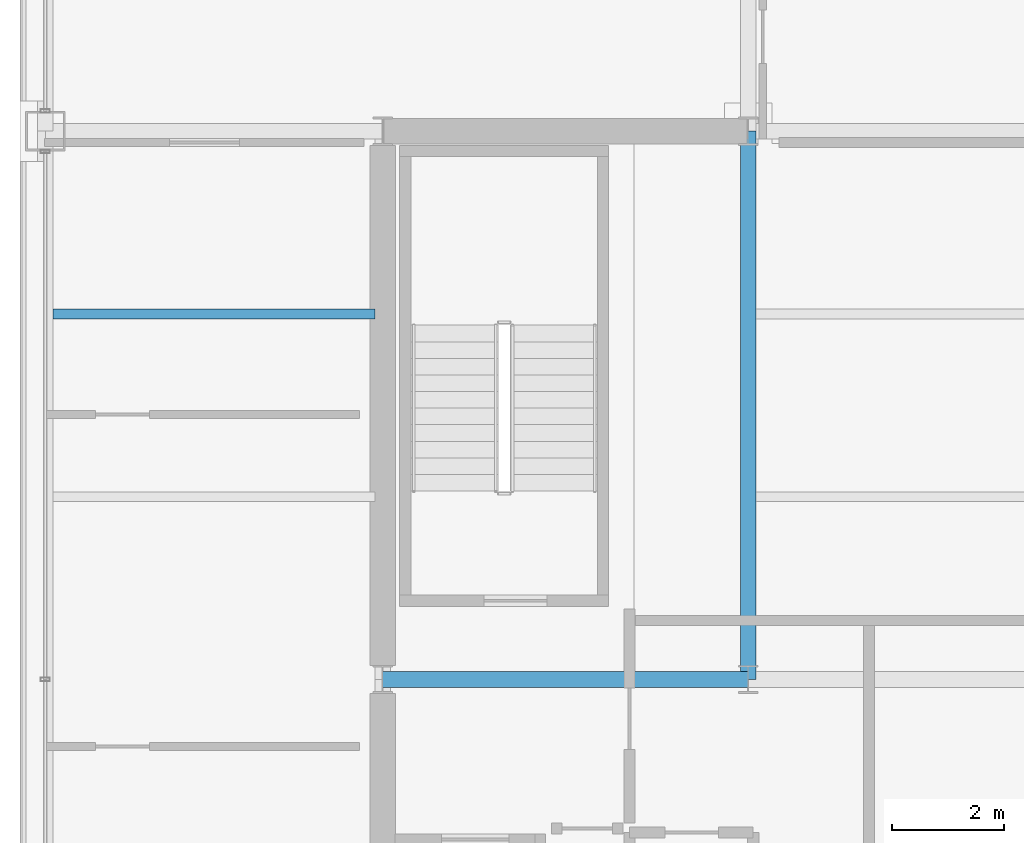
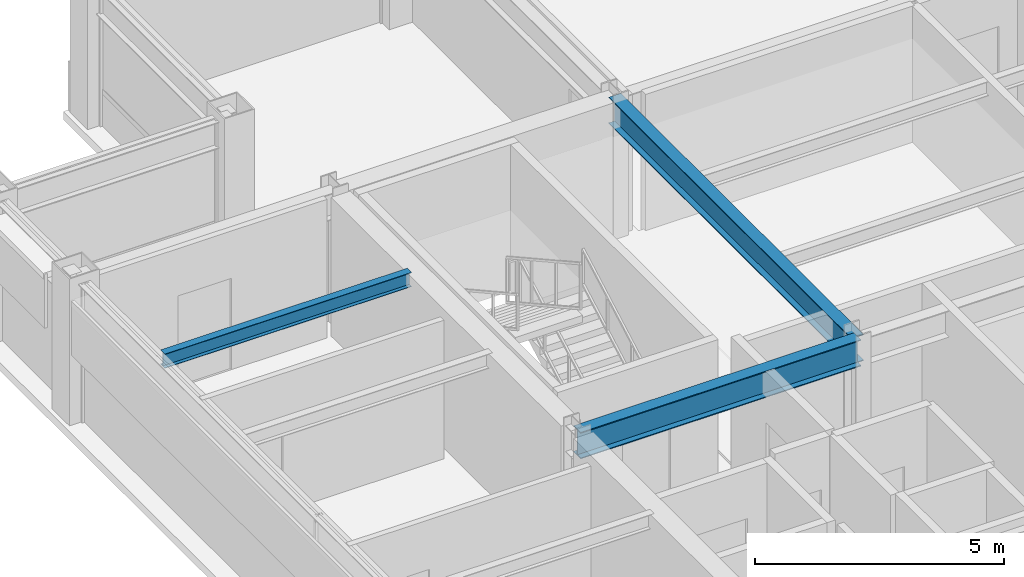
# One storey, part 9 of 28: 3 beams.
"""IFC4 building model written with IfcOpenShell, lengths in metres."""

from ifc_helpers import new_model, si_unit, direction, frame, origin, origin_2d, place, context, subcontext, project, spatial, i_section, extrude, material, material_profile, profile_set, type_object, element, save


model = new_model("IFC4")

# Units and contexts
model_context = context("Model", 3, precision=1e-05, world=origin(), true_north=direction((0.0, 1.0)))
body_context = subcontext(model_context, "Body", "Model", "MODEL_VIEW")
ifc_project = project(units=[si_unit("LENGTHUNIT", "METRE"), si_unit("AREAUNIT", "SQUARE_METRE"), si_unit("VOLUMEUNIT", "CUBIC_METRE"), si_unit("PLANEANGLEUNIT", "RADIAN"), si_unit("MASSUNIT", "GRAM", prefix="KILO")], contexts=[model_context])

# Site, building, storey
site_placement = place(None, origin())
site = spatial("IfcSite", under=ifc_project, at=site_placement, CompositionType="ELEMENT")
building_placement = place(site_placement, origin())
building = spatial("IfcBuilding", under=site, at=building_placement, Name="Brelmoor Portico Tower", CompositionType="ELEMENT")
storey_placement = place(building_placement, frame((0.0, 0.0, 191.10009765625)))
storey = spatial("IfcBuildingStorey", under=building, at=storey_placement, Name="L50", CompositionType="ELEMENT", Elevation=191.10009765625)

# Beams
ifc_material = material(Name="Steel Q355B", Category="steel")
ifc_material_profile_1 = material_profile(ifc_material, i_section(OverallWidth=0.175048828125, OverallDepth=0.35009765625, WebThickness=0.007080078125, FlangeThickness=0.010986328125, at=origin_2d()), Name="HN 350x175x7x11")
ifc_profile_set_1 = profile_set([ifc_material_profile_1], Name="Steel Q355B")
beam_type_1 = type_object("IfcBeamType", Name="BM-JS-350", PredefinedType="JOIST", material=ifc_profile_set_1)
beam_1_placement = place(storey_placement, frame((-20.409912109375, 6.5, 3.224853515625), z_axis=(1.0, 0.0, 0.0), x_axis=(0.0, 1.0, 0.0)))
element("IfcBeam", 1, at=beam_1_placement, inside=storey, type_object=beam_type_1, Name="L50 Secondary Wing Joist JS-W08", PredefinedType="JOIST", context=body_context, shape_type="SweptSolid", body=[
    extrude(i_section(OverallWidth=0.175048828125, OverallDepth=0.35009765625, WebThickness=0.007080078125, FlangeThickness=0.010986328125, at=origin_2d()), origin(), (0.0, 0.0, 1.0), 5.719970703125),
])
ifc_material_profile_2 = material_profile(ifc_material, i_section(OverallWidth=0.280029296875, OverallDepth=0.64990234375, WebThickness=0.012939453125, FlangeThickness=0.02197265625, at=origin_2d()), Name="HN 650x280x13x22")
ifc_profile_set_2 = profile_set([ifc_material_profile_2], Name="Steel Q355B")
beam_type_2 = type_object("IfcBeamType", Name="BM-PG-650", PredefinedType="BEAM", material=ifc_profile_set_2)
beam_2_placement = place(storey_placement, frame((-8.050048828125, 0.0, 3.074951171875), z_axis=(0.0, 1.0, 0.0), x_axis=(-1.0, 0.0, 0.0)))
element("IfcBeam", 2, at=beam_2_placement, inside=storey, type_object=beam_type_2, Name="L50 Primary Floor Girder PG-04", PredefinedType="BEAM", context=body_context, shape_type="SweptSolid", body=[
    extrude(i_section(OverallWidth=0.280029296875, OverallDepth=0.64990234375, WebThickness=0.012939453125, FlangeThickness=0.02197265625, at=origin_2d()), origin(), (0.0, 0.0, 1.0), 9.75),
])
beam_3_placement = place(storey_placement, frame((-14.550048828125, 0.0, 3.074951171875), z_axis=(1.0, 0.0, 0.0), x_axis=(0.0, 1.0, 0.0)))
element("IfcBeam", 3, at=beam_3_placement, inside=storey, type_object=beam_type_2, Name="L50 Primary Floor Girder PG-16", PredefinedType="BEAM", context=body_context, shape_type="SweptSolid", body=[
    extrude(i_section(OverallWidth=0.280029296875, OverallDepth=0.64990234375, WebThickness=0.012939453125, FlangeThickness=0.02197265625, at=origin_2d()), origin(), (0.0, 0.0, 1.0), 6.5),
])

save(model, "model.ifc")
